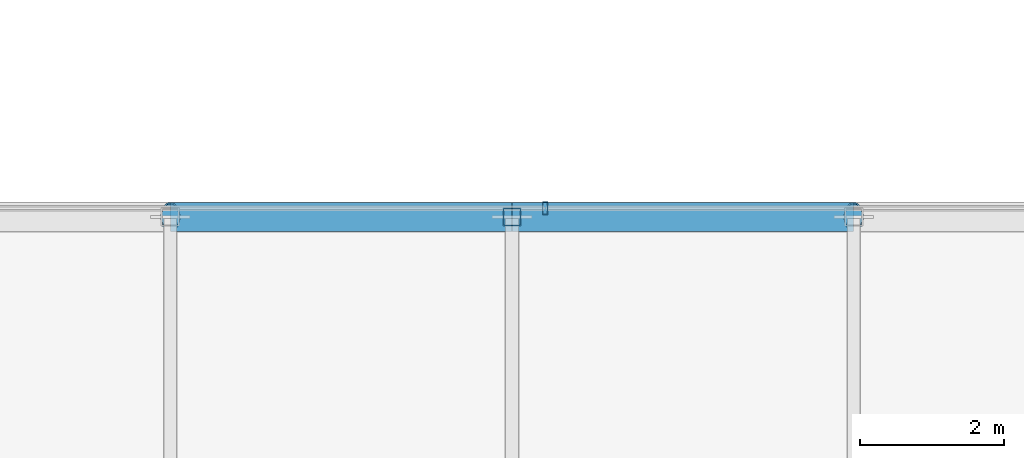
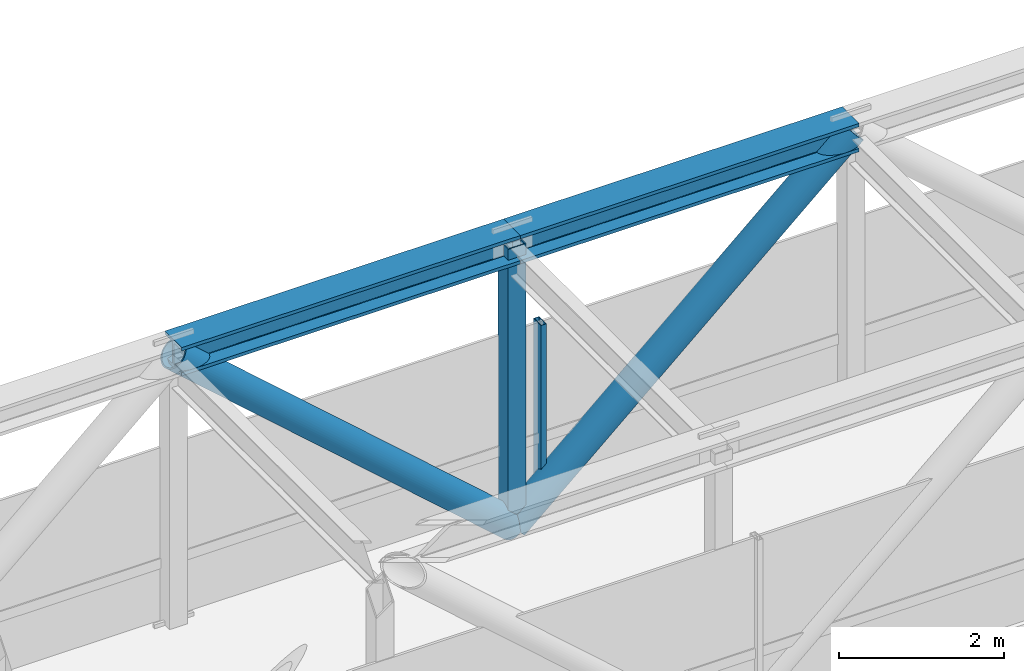
# One storey, part 10 of 45: 6 members, 1 element without a shape of its own.
"""IFC4 building model written with IfcOpenShell, lengths in metres."""

import ifcopenshell
import ifcopenshell.guid

model = None  # the IFC model being written
_history = None  # IfcOwnerHistory: only IFC2X3 demands one
_inside = {}  # id of a spatial element -> (the spatial element, [elements in it])
_under = {}  # id of a project, library or spatial element -> (it, [spatial elements below it])
_declared = {}  # id of a project -> (the project, [libraries it declares])
_typed = {}  # id of a type object -> (the type object, [elements of that type])
_made_of = {}  # id of a material, layer set ... -> (it, [elements and type objects made of it])


def new_model(schema):
    """Start an empty IFC model of exactly this schema.

    Asked for "IFC4X3", IfcOpenShell would pick the latest addendum, in which some entities
    have other attributes; the version numbers below select the first issue.
    IFC2X3 requires an IfcOwnerHistory on every rooted entity: one is made here for all.
    """
    global model, _history
    if schema == "IFC4X3":
        model = ifcopenshell.file(schema_version=(4, 3, 0, 0))
    else:
        model = ifcopenshell.file(schema=schema)
    _inside.clear()
    _under.clear()
    _declared.clear()
    _typed.clear()
    _made_of.clear()
    _history = None
    if model.schema == "IFC2X3":
        org = make("IfcOrganization", Name="unknown")
        user = make(
            "IfcPersonAndOrganization",
            ThePerson=make("IfcPerson", FamilyName="unknown"),
            TheOrganization=org,
        )
        app = make(
            "IfcApplication",
            ApplicationDeveloper=org,
            Version="unknown",
            ApplicationFullName="unknown",
            ApplicationIdentifier="unknown",
        )
        _history = make(
            "IfcOwnerHistory",
            OwningUser=user,
            OwningApplication=app,
            ChangeAction="ADDED",
            CreationDate=0,
        )
    return model


def make(cls, **values):
    """One entity of the class cls with the attributes given. An attribute that is None is left unset."""
    return model.create_entity(
        cls, **{name: value for name, value in values.items() if value is not None}
    )


def rooted(cls, **values):
    """An entity with a GlobalId (a new one), such as an element, a storey or a relation."""
    return make(cls, GlobalId=ifcopenshell.guid.new(), OwnerHistory=_history, **values)


def si_unit(unit_type, name, prefix=None):
    """IfcSIUnit, for example si_unit("LENGTHUNIT", "METRE", prefix="MILLI")."""
    return make("IfcSIUnit", UnitType=unit_type, Prefix=prefix, Name=name)


def assignment(units):
    """IfcUnitAssignment: the units of a project."""
    return None if units is None else make("IfcUnitAssignment", Units=units)


def point(xyz):
    """IfcCartesianPoint."""
    return None if xyz is None else make("IfcCartesianPoint", Coordinates=xyz)


def direction(xyz):
    """IfcDirection."""
    return None if xyz is None else make("IfcDirection", DirectionRatios=xyz)


def frame(location, z_axis=None, x_axis=None):
    """IfcAxis2Placement3D, a coordinate frame: its origin and axes. An axis left out is left unset."""
    return make(
        "IfcAxis2Placement3D",
        Location=point(location),
        Axis=direction(z_axis),
        RefDirection=direction(x_axis),
    )


def frame_2d(location, x_axis=None):
    """IfcAxis2Placement2D, a coordinate frame in the plane: its origin and x axis."""
    return make(
        "IfcAxis2Placement2D", Location=point(location), RefDirection=direction(x_axis)
    )


def origin():
    """The frame at (0, 0, 0) with its axes left unset."""
    return frame((0.0, 0.0, 0.0))


def origin_2d():
    """The frame at (0, 0) in the plane with its x axis left unset."""
    return frame_2d((0.0, 0.0))


def place(relative_to, where):
    """IfcLocalPlacement: puts the frame where relative to a parent placement (None: the world)."""
    return make(
        "IfcLocalPlacement", PlacementRelTo=relative_to, RelativePlacement=where
    )


def context(
    kind, dimensions, precision=None, world=None, true_north=None, identifier=None
):
    """IfcGeometricRepresentationContext, for example the 3D "Model" context."""
    return make(
        "IfcGeometricRepresentationContext",
        ContextIdentifier=identifier,
        ContextType=kind,
        CoordinateSpaceDimension=dimensions,
        Precision=precision,
        WorldCoordinateSystem=world,
        TrueNorth=true_north,
    )


def subcontext(parent, identifier, kind, view, scale=None):
    """IfcGeometricRepresentationSubContext, for example "Body" below "Model"."""
    return make(
        "IfcGeometricRepresentationSubContext",
        ContextIdentifier=identifier,
        ContextType=kind,
        ParentContext=parent,
        TargetScale=scale,
        TargetView=view,
    )


def project(units=None, contexts=None):
    """IfcProject with its units and contexts."""
    return rooted(
        "IfcProject",
        Name="project",
        RepresentationContexts=contexts,
        UnitsInContext=assignment(units),
    )


def spatial(cls, under=None, at=None, **own):
    """A site, building, storey or space (cls), placed at a placement, below another one or the project."""
    s = rooted(cls, ObjectPlacement=at, **own)
    if under is not None:
        _under.setdefault(under.id(), (under, []))[1].append(s)
    return s


def profile(cls, at=None, kind="AREA", **sizes):
    """A parametric profile (cls). Its sizes go by their IFC names, for example OverallWidth=200.0."""
    return make(cls, ProfileType=kind, Position=at, **sizes)


def hollow_rectangle(**sizes):
    """IfcRectangleHollowProfileDef."""
    return profile("IfcRectangleHollowProfileDef", **sizes)


def hollow_circle(**sizes):
    """IfcCircleHollowProfileDef."""
    return profile("IfcCircleHollowProfileDef", **sizes)


def i_section(**sizes):
    """IfcIShapeProfileDef."""
    return profile("IfcIShapeProfileDef", **sizes)


def extrude(swept, where, along, depth):
    """IfcExtrudedAreaSolid: the profile swept, set in the frame where, extruded along a direction by depth."""
    return make(
        "IfcExtrudedAreaSolid",
        SweptArea=swept,
        Position=where,
        ExtrudedDirection=direction(along),
        Depth=depth,
    )


def shape(context_of_items, identifier, shape_type, items):
    """IfcShapeRepresentation: the items that make up one representation, for example the "Body"."""
    return make(
        "IfcShapeRepresentation",
        ContextOfItems=context_of_items,
        RepresentationIdentifier=identifier,
        RepresentationType=shape_type,
        Items=items,
    )


def material(Name=None, Category=None):
    """IfcMaterial."""
    return make("IfcMaterial", Name=Name, Category=Category)


def material_profile(
    of_material, cross_section, Name=None, Category=None, Priority=None
):
    """IfcMaterialProfile: a cross section and its material."""
    return make(
        "IfcMaterialProfile",
        Name=Name,
        Material=of_material,
        Profile=cross_section,
        Priority=Priority,
        Category=Category,
    )


def profile_set(profiles, Name=None, composite=None):
    """IfcMaterialProfileSet."""
    return make(
        "IfcMaterialProfileSet",
        Name=Name,
        MaterialProfiles=profiles,
        CompositeProfile=composite,
    )


def made_of(thing, what):
    """Note that an element or type object is made of a material, layer set ...; save() writes the relation."""
    if what is not None:
        _made_of.setdefault(what.id(), (what, []))[1].append(thing)
    return thing


def type_object(cls, material=None, **own):
    """A type object (cls), such as IfcWallType, which elements share."""
    return made_of(rooted(cls, **own), material)


def element(
    cls,
    number,
    at=None,
    inside=None,
    cuts=None,
    type_object=None,
    material=None,
    context=None,
    identifier="Body",
    shape_type=None,
    held_by="IfcProductDefinitionShape",
    body=None,
    shapes=None,
    **own,
):
    """One element of the class cls, such as IfcWall. Its Tag is "e" and its number.

    at: its placement. inside: the storey or other place that contains it. cuts: it is an
    opening in that element (IfcRelVoidsElement). A single representation is given by context,
    identifier, shape_type and body (its items); several are given by shapes. held_by: the class
    of the entity that holds the representations. save() writes the other relations.
    """
    e = rooted(cls, Tag="e%d" % number, ObjectPlacement=at, **own)
    if body is not None:
        shapes = [shape(context, identifier, shape_type, body)]
    if shapes is not None:
        e.Representation = make(held_by, Representations=shapes)
    if inside is not None:
        _inside.setdefault(inside.id(), (inside, []))[1].append(e)
    if cuts is not None:
        rooted(
            "IfcRelVoidsElement", RelatingBuildingElement=cuts, RelatedOpeningElement=e
        )
    if type_object is not None:
        _typed.setdefault(type_object.id(), (type_object, []))[1].append(e)
    return made_of(e, material)


def aggregate(whole, parts):
    """IfcRelAggregates: a whole, such as a stair, and the parts it consists of."""
    return rooted("IfcRelAggregates", RelatingObject=whole, RelatedObjects=parts)


def save(model, path):
    """Write the relations noted so far, then the file.

    IfcRelAggregates (storeys below a building ...), IfcRelContainedInSpatialStructure (elements
    in a storey), IfcRelDefinesByType, IfcRelAssociatesMaterial and IfcRelDeclares: one each for
    every whole, place, type object, material and project.
    """
    for whole, parts in _under.values():
        aggregate(whole, parts)
    for where, things in _inside.values():
        rooted(
            "IfcRelContainedInSpatialStructure",
            RelatedElements=things,
            RelatingStructure=where,
        )
    for kind, things in _typed.values():
        rooted("IfcRelDefinesByType", RelatedObjects=things, RelatingType=kind)
    for what, things in _made_of.values():
        rooted("IfcRelAssociatesMaterial", RelatedObjects=things, RelatingMaterial=what)
    for by, libraries in _declared.values():
        rooted("IfcRelDeclares", RelatingContext=by, RelatedDefinitions=libraries)
    model.write(path)


model = new_model("IFC4")

# Units and contexts
model_context = context("Model", 3, precision=1e-05, world=origin(), true_north=direction((0.0, 1.0)))
body_context = subcontext(model_context, "Body", "Model", "MODEL_VIEW")
ifc_project = project(units=[si_unit("LENGTHUNIT", "METRE"), si_unit("AREAUNIT", "SQUARE_METRE"), si_unit("VOLUMEUNIT", "CUBIC_METRE"), si_unit("PLANEANGLEUNIT", "RADIAN"), si_unit("MASSUNIT", "GRAM", prefix="KILO")], contexts=[model_context])

# Site, building, storey
site_placement = place(None, origin())
site = spatial("IfcSite", under=ifc_project, at=site_placement, CompositionType="ELEMENT")
building_placement = place(site_placement, origin())
building = spatial("IfcBuilding", under=site, at=building_placement, Name="Thornwick Lancets Civic Towers", CompositionType="ELEMENT")
storey_placement = place(building_placement, frame((0.0, 0.0, 141.300048828125)))
storey = spatial("IfcBuildingStorey", under=building, at=storey_placement, Name="L37", CompositionType="ELEMENT", Elevation=141.300048828125)

# Curtain wall, member
ifc_material_1 = material(Name="Skybridge acoustic laminated-glass curtain wall", Category="glass")
curtain_wall_type = type_object("IfcCurtainWallType", Name="CW_SYS_06", PredefinedType="NOTDEFINED", material=ifc_material_1)
curtain_wall_placement = place(storey_placement, origin())
curtain_wall = element("IfcCurtainWall", 1, at=curtain_wall_placement, inside=storey, type_object=curtain_wall_type, Name="L37 Curtain Wall CW-L37-SKYBRIDGE-N", PredefinedType="NOTDEFINED")
ifc_material_2 = material(Name="Thermally broken bronze aluminium S355", Category="steel")
ifc_material_profile_1 = material_profile(ifc_material_2, hollow_rectangle(XDim=0.074951171875, YDim=0.179931640625, WallThickness=0.006103515625, at=origin_2d()), Name="RHS 180x75x6")
ifc_profile_set_1 = profile_set([ifc_material_profile_1], Name="Thermally broken bronze aluminium S355")
member_type_1 = type_object("IfcMemberType", Name="CW_MUL_180", PredefinedType="MULLION", material=ifc_profile_set_1)
member_1_placement = place(storey_placement, frame((52.726806640625, 29.6201171875, 0.0), z_axis=(0.0, 0.0, 1.0), x_axis=(1.0, 0.0, 0.0)))
member_1 = element("IfcMember", 2, at=member_1_placement, type_object=member_type_1, Name="CW-L37-SKYBRIDGE-N Mullion 2", PredefinedType="MULLION", context=body_context, shape_type="SweptSolid", body=[
    extrude(hollow_rectangle(XDim=0.074951171875, YDim=0.179931640625, WallThickness=0.006103515625, at=origin_2d()), origin(), (0.0, 0.0, 1.0), 2.550048828125),
])
aggregate(curtain_wall, [member_1])

# Members
ifc_material_3 = material(Name="Steel S460M", Category="steel")
ifc_material_profile_2 = material_profile(ifc_material_3, i_section(OverallWidth=0.406982421875, OverallDepth=0.4189453125, WebThickness=0.030517578125, FlangeThickness=0.04931640625, FilletRadius=0.01513671875, at=origin_2d()), Name="UKC 356x406x393")
ifc_profile_set_2 = profile_set([ifc_material_profile_2], Name="Steel S460M")
member_type_2 = type_object("IfcMemberType", Name="MEM_BRG_CHORD_393", PredefinedType="CHORD", material=ifc_profile_set_2)
for number, where, z_axis, x_axis, name in (
    (3, (47.533203125, 29.5, 3.9599609375), (1.0, 0.0, 0.0), (0.0, 1.0, 0.0), "L37 Skybridge Top Chord 2-1"),
    (4, (52.2666015625, 29.5, 3.9599609375), (1.0, 0.0, 0.0), (0.0, 1.0, 0.0), "L37 Skybridge Top Chord 2-2"),
):
    element("IfcMember", number, at=place(storey_placement, frame(where, z_axis=z_axis, x_axis=x_axis)), inside=storey, type_object=member_type_2, Name=name, PredefinedType="CHORD", context=body_context, shape_type="SweptSolid", body=[
        extrude(i_section(OverallWidth=0.406982421875, OverallDepth=0.4189453125, WebThickness=0.030517578125, FlangeThickness=0.04931640625, FilletRadius=0.01513671875, at=origin_2d()), origin(), (0.0, 0.0, 1.0), 4.7333984375),
    ])
ifc_material_profile_3 = material_profile(ifc_material_3, hollow_circle(Radius=0.203125, WallThickness=0.02001953125, at=origin_2d()), Name="CHS 406.4x20")
ifc_profile_set_3 = profile_set([ifc_material_profile_3], Name="Steel S460M")
member_type_3 = type_object("IfcMemberType", Name="MEM_BRG_WEB_CHS406", PredefinedType="BRACE", material=ifc_profile_set_3)
for number, where, z_axis, x_axis, name in (
    (5, (47.533203125, 29.5, 3.9599609375), (0.749570397513, 0.0, -0.661924632547), (0.0, 1.0, 0.0), "L37 Skybridge Truss Diagonal 2-1"),
    (6, (52.2666015625, 29.5, -0.219970703125), (0.749570397513, 0.0, 0.661924632547), (0.0, 1.0, 0.0), "L37 Skybridge Truss Diagonal 2-2"),
):
    element("IfcMember", number, at=place(storey_placement, frame(where, z_axis=z_axis, x_axis=x_axis)), inside=storey, type_object=member_type_3, Name=name, PredefinedType="BRACE", context=body_context, shape_type="SweptSolid", body=[
        extrude(hollow_circle(Radius=0.203125, WallThickness=0.02001953125, at=origin_2d()), origin(), (0.0, 0.0, 1.0), 6.314697265625),
    ])
ifc_material_profile_4 = material_profile(ifc_material_3, hollow_rectangle(XDim=0.25, YDim=0.25, WallThickness=0.01611328125, at=origin_2d()), Name="SHS 250x250x16")
ifc_profile_set_4 = profile_set([ifc_material_profile_4], Name="Steel S460M")
member_type_4 = type_object("IfcMemberType", Name="MEM_BRG_WEB_SHS250", PredefinedType="BRACE", material=ifc_profile_set_4)
member_2_placement = place(storey_placement, frame((52.2666015625, 29.5, -0.219970703125), z_axis=(0.0, 0.0, 1.0), x_axis=(1.0, 0.0, 0.0)))
element("IfcMember", 7, at=member_2_placement, inside=storey, type_object=member_type_4, Name="L37 Skybridge Truss Post 2-2", PredefinedType="BRACE", context=body_context, shape_type="SweptSolid", body=[
    extrude(hollow_rectangle(XDim=0.25, YDim=0.25, WallThickness=0.01611328125, at=origin_2d()), origin(), (0.0, 0.0, 1.0), 4.179931640625),
])

save(model, "model.ifc")
